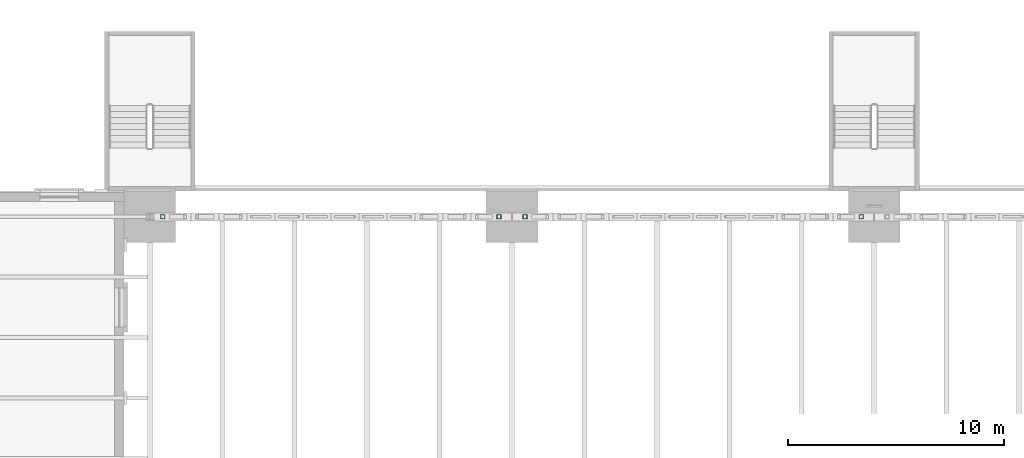
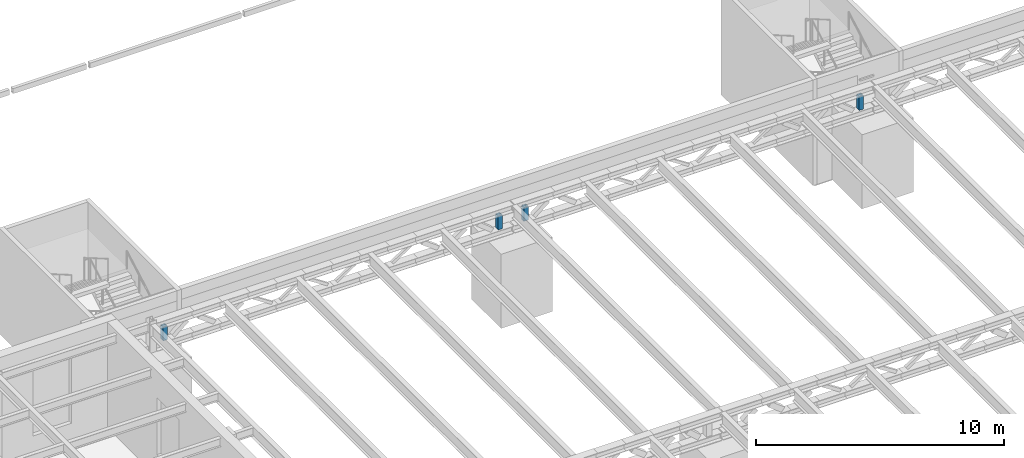
# One storey, part 41 of 93: 4 members.
"""IFC4 building model written with IfcOpenShell, lengths in metres."""

from ifc_helpers import new_model, si_unit, direction, frame, origin, origin_2d, place, context, subcontext, project, spatial, hollow_rectangle, extrude, material, material_profile, profile_set, type_object, element, save


model = new_model("IFC4")

# Units and contexts
model_context = context("Model", 3, precision=1e-05, world=origin(), true_north=direction((0.0, 1.0)))
body_context = subcontext(model_context, "Body", "Model", "MODEL_VIEW")
ifc_project = project(units=[si_unit("LENGTHUNIT", "METRE"), si_unit("AREAUNIT", "SQUARE_METRE"), si_unit("VOLUMEUNIT", "CUBIC_METRE"), si_unit("PLANEANGLEUNIT", "RADIAN"), si_unit("MASSUNIT", "GRAM", prefix="KILO")], contexts=[model_context])

# Site, building, storey
site_placement = place(None, origin())
site = spatial("IfcSite", under=ifc_project, at=site_placement, CompositionType="ELEMENT")
building_placement = place(site_placement, origin())
building = spatial("IfcBuilding", under=site, at=building_placement, Name="Verrick Yard Athletic Hall", CompositionType="ELEMENT")
storey_placement = place(building_placement, frame((0.0, 0.0, 8.800048828125)))
storey = spatial("IfcBuildingStorey", under=building, at=storey_placement, Name="L02", CompositionType="ELEMENT", Elevation=8.800048828125)

# Members
ifc_material = material(Name="Structural steel HSS Class C 350W (CSA G40.20/G40.21)", Category="steel")
ifc_material_profile = material_profile(ifc_material, hollow_rectangle(XDim=0.203125, YDim=0.203125, WallThickness=0.0126953125, at=origin_2d()), Name="HSS203x203x13")
ifc_profile_set = profile_set([ifc_material_profile], Name="Structural steel HSS Class C 350W (CSA G40.20/G40.21)")
member_type = type_object("IfcMemberType", Name="STR Edge truss end post HSS203x203x13", PredefinedType="POST", material=ifc_profile_set)
for number, where, z_axis, x_axis, name in (
    (1, (40.60009765625, 52.800048828125, 4.005859375), (0.0, 0.0, 1.0), (1.0, 0.0, 0.0), "STR-TP-GC1-W"),
    (2, (56.199951171875, 52.800048828125, 4.005859375), (0.0, 0.0, 1.0), (1.0, 0.0, 0.0), "STR-TP-GC1-E"),
    (3, (57.39990234375, 52.800048828125, 4.005859375), (0.0, 0.0, 1.0), (1.0, 0.0, 0.0), "STR-TP-GC2-W"),
    (4, (73.0, 52.800048828125, 4.005859375), (0.0, 0.0, 1.0), (1.0, 0.0, 0.0), "STR-TP-GC2-E"),
):
    element("IfcMember", number, at=place(storey_placement, frame(where, z_axis=z_axis, x_axis=x_axis)), inside=storey, type_object=member_type, Name=name, PredefinedType="POST", context=body_context, shape_type="SweptSolid", body=[
        extrude(hollow_rectangle(XDim=0.203125, YDim=0.203125, WallThickness=0.0126953125, at=origin_2d()), origin(), (0.0, 0.0, 1.0), 0.68798828125),
    ])

save(model, "model.ifc")
